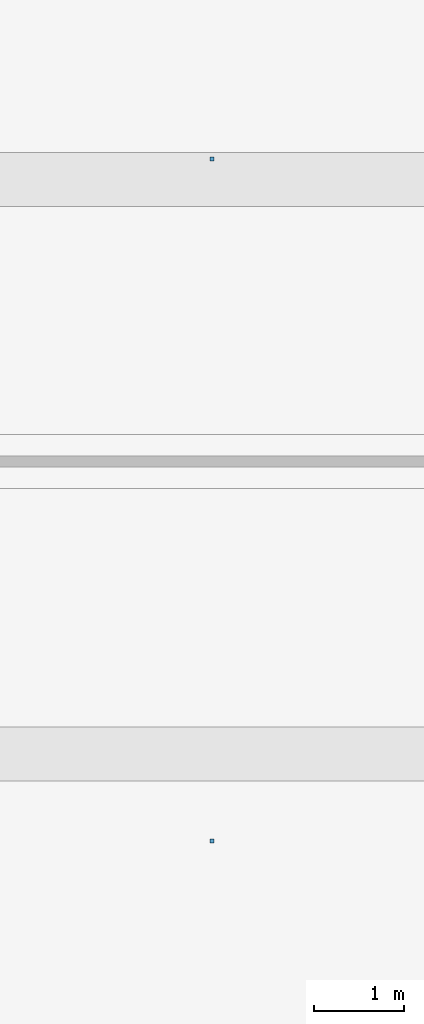
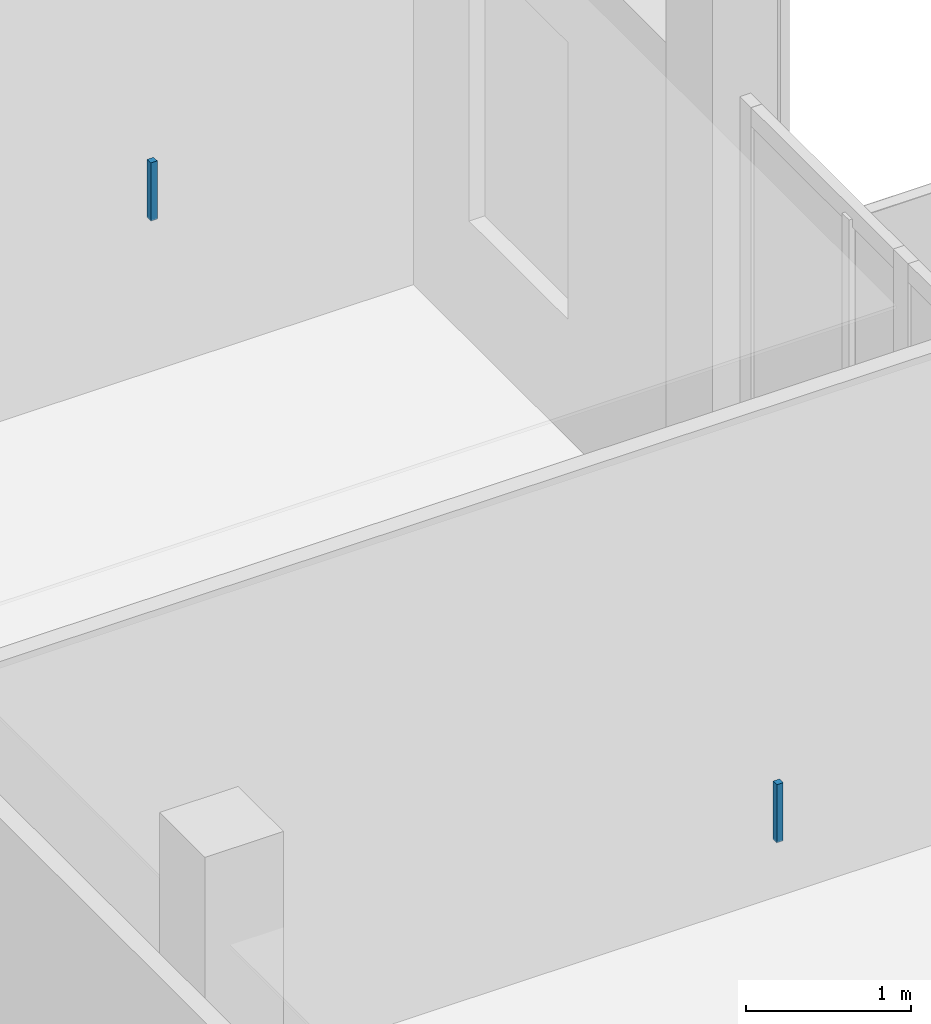
# One storey, part 75 of 95: 2 discrete accessories.
"""IFC4 building model written with IfcOpenShell, lengths in metres."""

from ifc_helpers import new_model, si_unit, derived_unit, direction, frame, origin, origin_2d, place, context, subcontext, project, spatial, rectangle, extrude, material, type_object, element, save


model = new_model("IFC4")

# Units and contexts
model_context = context("Model", 3, precision=1e-05, world=origin(), true_north=direction((0.0, 1.0)))
body_context = subcontext(model_context, "Body", "Model", "MODEL_VIEW")
ifc_project = project(units=[si_unit("LENGTHUNIT", "METRE"), si_unit("AREAUNIT", "SQUARE_METRE"), si_unit("VOLUMEUNIT", "CUBIC_METRE"), si_unit("PLANEANGLEUNIT", "RADIAN"), si_unit("MASSUNIT", "GRAM", prefix="KILO"), derived_unit("THERMALTRANSMITTANCEUNIT", [(si_unit("POWERUNIT", "WATT"), 1), (si_unit("LENGTHUNIT", "METRE"), -2), (si_unit("THERMODYNAMICTEMPERATUREUNIT", "KELVIN"), -1)])], contexts=[model_context])

# Site, building, storey
site_placement = place(None, origin())
site = spatial("IfcSite", under=ifc_project, at=site_placement, CompositionType="ELEMENT")
building_placement = place(site_placement, origin())
building = spatial("IfcBuilding", under=site, at=building_placement, Name="Braskholm Square Health Centre", CompositionType="ELEMENT")
storey_placement = place(building_placement, frame((0.0, 0.0, 4.800048828125)))
storey = spatial("IfcBuildingStorey", under=building, at=storey_placement, Name="L02", CompositionType="ELEMENT", Elevation=4.800048828125)

# Discrete accessories
ifc_material = material(Name="Steel ASTM A500 Grade C", Category="steel")
discrete_accessory_type = type_object("IfcDiscreteAccessoryType", Name="CeilingSuspensionBracket", PredefinedType="BRACKET", material=ifc_material)
for number, where, z_axis, x_axis, name in (
    (1, (159.93994140625, 22.43505859375, 3.7822265625), (0.0, 0.0, 1.0), (1.0, 0.0, 0.0), "Ceiling hanger bracket 0133"),
    (2, (159.93994140625, 30.02490234375, 3.7822265625), (0.0, 0.0, 1.0), (1.0, 0.0, 0.0), "Ceiling hanger bracket 0134"),
):
    element("IfcDiscreteAccessory", number, at=place(storey_placement, frame(where, z_axis=z_axis, x_axis=x_axis)), inside=storey, type_object=discrete_accessory_type, Name=name, PredefinedType="BRACKET", context=body_context, shape_type="SweptSolid", body=[
        extrude(rectangle(XDim=0.044921875, YDim=0.044921875, at=origin_2d()), origin(), (0.0, 0.0, 1.0), 0.429931640625),
    ])

save(model, "model.ifc")
